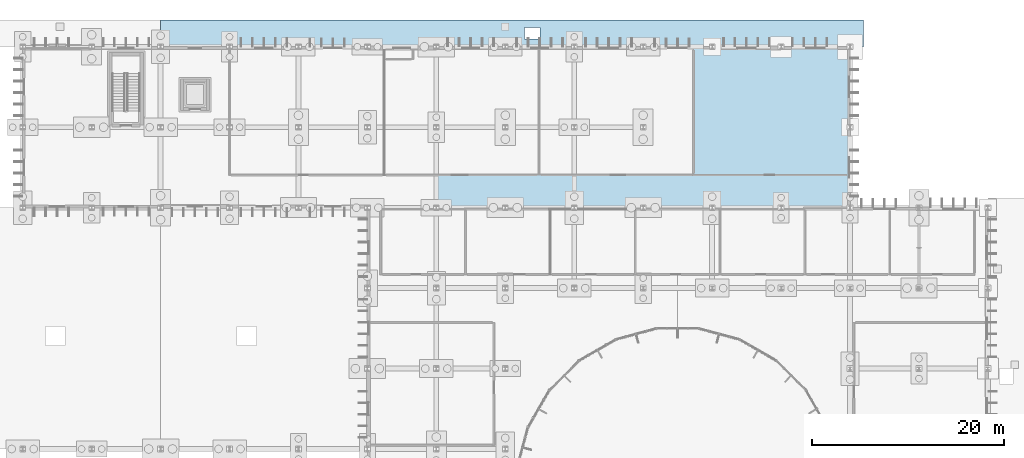
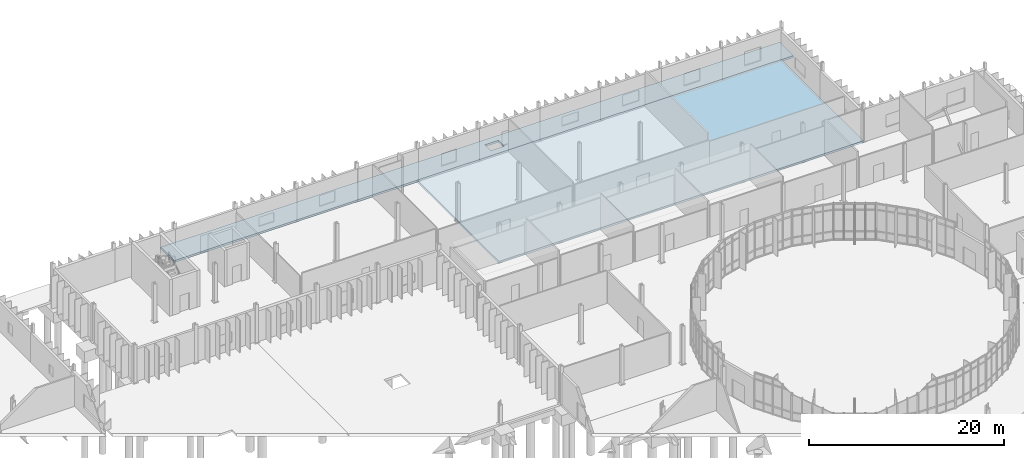
# One storey, part 65 of 118: 2 slabs.
"""IFC4 building model written with IfcOpenShell, lengths in metres."""

from ifc_helpers import new_model, si_unit, direction, frame, origin, place, context, subcontext, project, spatial, polyline, outline, extrude, material, layer, layer_set, type_object, element, save


model = new_model("IFC4")

# Units and contexts
model_context = context("Model", 3, precision=1e-05, world=origin(), true_north=direction((0.0, 1.0)))
body_context = subcontext(model_context, "Body", "Model", "MODEL_VIEW")
ifc_project = project(units=[si_unit("LENGTHUNIT", "METRE"), si_unit("AREAUNIT", "SQUARE_METRE"), si_unit("VOLUMEUNIT", "CUBIC_METRE"), si_unit("PLANEANGLEUNIT", "RADIAN"), si_unit("MASSUNIT", "GRAM", prefix="KILO")], contexts=[model_context])

# Site, building, storey
site_placement = place(None, origin())
site = spatial("IfcSite", under=ifc_project, at=site_placement, CompositionType="ELEMENT")
building_placement = place(site_placement, origin())
building = spatial("IfcBuilding", under=site, at=building_placement, Name="Qelthora Terrace Specialist Clinic", CompositionType="ELEMENT")
storey_placement = place(building_placement, origin())
storey = spatial("IfcBuildingStorey", under=building, at=storey_placement, Name="L00", CompositionType="ELEMENT", Elevation=0.0)

# Slabs
ifc_material = material(Name="Concrete C30/37", Category="concrete")
ifc_layer_1 = layer(ifc_material, 0.260009765625)
ifc_layer_set_1 = layer_set([ifc_layer_1], Name="Concrete C30/37")
slab_type_1 = type_object("IfcSlabType", Name="SLB-BASE-260-C30", PredefinedType="BASESLAB", material=ifc_layer_set_1)
slab_1_placement = place(storey_placement, frame((0.0, 0.0, -0.260009765625)))
element("IfcSlab", 1, at=slab_1_placement, inside=storey, type_object=slab_type_1, Name="L00 V6 slab SLB-L00-V6B", PredefinedType="BASESLAB", context=body_context, shape_type="SweptSolid", body=[
    extrude(outline(polyline([(100.800048828125, 109.199951171875), (144.0, 109.199951171875), (144.0, 92.39990234375), (100.800048828125, 92.39990234375), (100.800048828125, 109.199951171875)])), origin(), (0.0, 0.0, 1.0), 0.260009765625),
])
ifc_layer_2 = layer(ifc_material, 0.25)
ifc_layer_set_2 = layer_set([ifc_layer_2], Name="Concrete C30/37")
slab_type_2 = type_object("IfcSlabType", Name="SLB-TERR-250-C30", PredefinedType="FLOOR", material=ifc_layer_set_2)
slab_2_placement = place(storey_placement, frame((0.0, 0.0, -0.25)))
element("IfcSlab", 2, at=slab_2_placement, inside=storey, type_object=slab_type_2, Name="L00 V1 slab SLB-L00-NPLZ2", PredefinedType="FLOOR", context=body_context, shape_type="SweptSolid", body=[
    extrude(outline(polyline([(72.0, 109.199951171875), (72.0, 112.0), (145.39990234375, 112.0), (145.39990234375, 109.199951171875), (72.0, 109.199951171875)]), holes=[polyline([(110.0, 110.0), (111.60009765625, 110.0), (111.60009765625, 111.199951171875), (110.0, 111.199951171875), (110.0, 110.0)])]), origin(), (0.0, 0.0, 1.0), 0.25),
])

save(model, "model.ifc")
